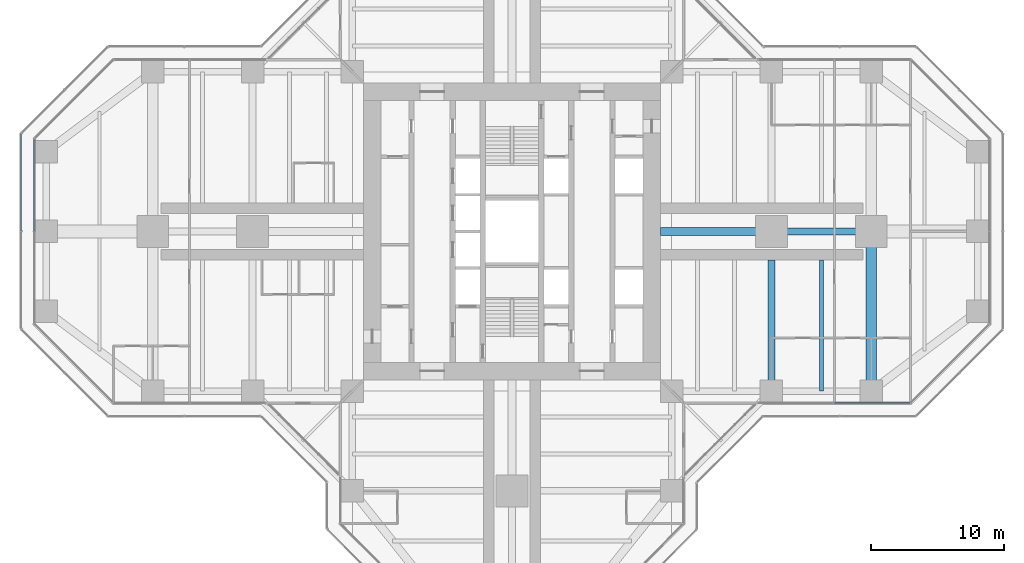
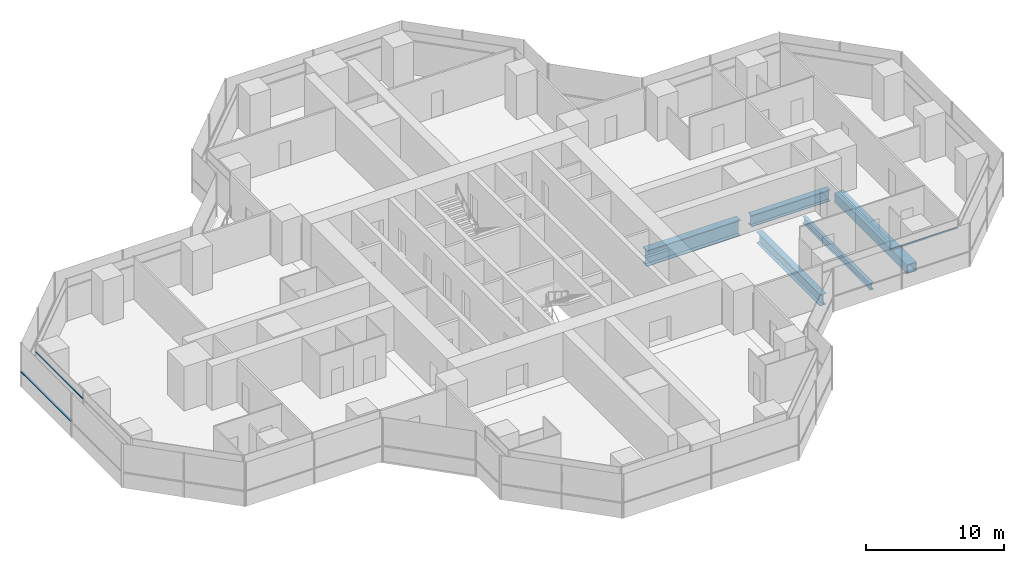
# One storey, part 6 of 20: 5 beams, 3 members, 3 elements without a shape of their own.
"""IFC4 building model written with IfcOpenShell, lengths in metres."""

from ifc_helpers import new_model, si_unit, direction, frame, origin, origin_2d, place, context, subcontext, project, spatial, rectangle, hollow_rectangle, i_section, extrude, material, material_profile, profile_set, type_object, element, aggregate, save


model = new_model("IFC4")

# Units and contexts
model_context = context("Model", 3, precision=1e-05, world=origin(), true_north=direction((0.0, 1.0)))
body_context = subcontext(model_context, "Body", "Model", "MODEL_VIEW")
ifc_project = project(units=[si_unit("LENGTHUNIT", "METRE"), si_unit("AREAUNIT", "SQUARE_METRE"), si_unit("VOLUMEUNIT", "CUBIC_METRE"), si_unit("PLANEANGLEUNIT", "RADIAN"), si_unit("MASSUNIT", "GRAM", prefix="KILO")], contexts=[model_context])

# Site, building, storey
site_placement = place(None, origin())
site = spatial("IfcSite", under=ifc_project, at=site_placement, CompositionType="ELEMENT")
building_placement = place(site_placement, origin())
building = spatial("IfcBuilding", under=site, at=building_placement, Name="Mizan Broadcast Tower", CompositionType="ELEMENT")
storey_placement = place(building_placement, frame((0.0, 0.0, 143.699951171875)))
storey = spatial("IfcBuildingStorey", under=building, at=storey_placement, Name="L32", CompositionType="ELEMENT", Elevation=143.699951171875)

# Beams
ifc_material_1 = material(Name="Steel S460", Category="steel")
ifc_material_profile_1 = material_profile(ifc_material_1, hollow_rectangle(XDim=0.800048828125, YDim=0.800048828125, WallThickness=0.050048828125, at=origin_2d()), Name="BOX 800x800x50")
ifc_profile_set_1 = profile_set([ifc_material_profile_1], Name="Steel S460")
beam_type_1 = type_object("IfcBeamType", Name="GIRDER BOX 800x800x50", PredefinedType="BEAM", material=ifc_profile_set_1)
beam_1_placement = place(storey_placement, frame((27.0, -11.280029296875, -0.530029296875), z_axis=(0.0, 1.0, 0.0), x_axis=(-1.0, 0.0, 0.0)))
element("IfcBeam", 1, at=beam_1_placement, inside=storey, type_object=beam_type_1, Name="Girder BOX 800x800x50 L32 east arm", PredefinedType="BEAM", context=body_context, shape_type="SweptSolid", body=[
    extrude(hollow_rectangle(XDim=0.800048828125, YDim=0.800048828125, WallThickness=0.050048828125, at=origin_2d()), origin(), (0.0, 0.0, 1.0), 10.56005859375),
])
ifc_material_2 = material(Name="Steel S460", Category="steel")
ifc_material_profile_2 = material_profile(ifc_material_2, i_section(OverallWidth=0.5, OverallDepth=1.0, WebThickness=0.02490234375, FlangeThickness=0.050048828125, at=origin_2d()), Name="WPG 1000x500")
ifc_profile_set_2 = profile_set([ifc_material_profile_2], Name="Steel S460")
beam_type_2 = type_object("IfcBeamType", Name="GIRDER WPG 1000x500", PredefinedType="BEAM", material=ifc_profile_set_2)
beam_2_placement = place(storey_placement, frame((19.949951171875, 0.0, -0.6298828125), z_axis=(1.0, 0.0, 0.0), x_axis=(0.0, 1.0, 0.0)))
element("IfcBeam", 2, at=beam_2_placement, inside=storey, type_object=beam_type_2, Name="Girder WPG 1000x500 L32 east arm", PredefinedType="BEAM", context=body_context, shape_type="SweptSolid", body=[
    extrude(i_section(OverallWidth=0.5, OverallDepth=1.0, WebThickness=0.02490234375, FlangeThickness=0.050048828125, at=origin_2d()), origin(), (0.0, 0.0, 1.0), 6.60009765625),
])
beam_3_placement = place(storey_placement, frame((19.5, -11.408935546875, -0.6298828125), z_axis=(0.0, 1.0, 0.0), x_axis=(-1.0, 0.0, 0.0)))
element("IfcBeam", 3, at=beam_3_placement, inside=storey, type_object=beam_type_2, Name="Girder WPG 1000x500 L32 east arm", PredefinedType="BEAM", context=body_context, shape_type="SweptSolid", body=[
    extrude(i_section(OverallWidth=0.5, OverallDepth=1.0, WebThickness=0.02490234375, FlangeThickness=0.050048828125, at=origin_2d()), origin(), (0.0, 0.0, 1.0), 9.259033203125),
])
ifc_material_3 = material(Name="Steel S460", Category="steel")
ifc_material_profile_3 = material_profile(ifc_material_3, i_section(OverallWidth=0.60009765625, OverallDepth=1.39990234375, WebThickness=0.02490234375, FlangeThickness=0.06005859375, at=origin_2d()), Name="WPG 1400x600")
ifc_profile_set_3 = profile_set([ifc_material_profile_3], Name="Steel S460")
beam_type_3 = type_object("IfcBeamType", Name="GIRDER WPG 1400x600", PredefinedType="BEAM", material=ifc_profile_set_3)
beam_4_placement = place(storey_placement, frame((11.14990234375, 0.0, -0.829833984375), z_axis=(1.0, 0.0, 0.0), x_axis=(0.0, 1.0, 0.0)))
element("IfcBeam", 4, at=beam_4_placement, inside=storey, type_object=beam_type_3, Name="Girder WPG 1400x600 L32 east arm", PredefinedType="BEAM", context=body_context, shape_type="SweptSolid", body=[
    extrude(i_section(OverallWidth=0.60009765625, OverallDepth=1.39990234375, WebThickness=0.02490234375, FlangeThickness=0.06005859375, at=origin_2d()), origin(), (0.0, 0.0, 1.0), 7.84912109375),
])

# Curtain wall, member
ifc_material_4 = material(Name="Aluminium framed glazing", Category="aluminium")
curtain_wall_type_1 = type_object("IfcCurtainWallType", Name="INNER SKIN MID ZONE", PredefinedType="USERDEFINED", material=ifc_material_4)
curtain_wall_1_placement = place(storey_placement, origin())
curtain_wall_1 = element("IfcCurtainWall", 5, at=curtain_wall_1_placement, inside=storey, type_object=curtain_wall_type_1, Name="Inner skin mid zone L32 E side", ObjectType="INNER SKIN MID ZONE", PredefinedType="USERDEFINED")
ifc_material_5 = material(Name="Aluminium, pale anodised", Category="aluminium")
ifc_material_profile_4 = material_profile(ifc_material_5, rectangle(XDim=0.1201171875, YDim=0.06005859375, at=origin_2d()), Name="TRANSOM 120x60")
ifc_profile_set_4 = profile_set([ifc_material_profile_4], Name="Aluminium, pale anodised")
member_type_1 = type_object("IfcMemberType", Name="INNER SKIN TRANSOM 60x120", PredefinedType="USERDEFINED", material=ifc_profile_set_4)
member_1_placement = place(storey_placement, frame((24.25927734375, -12.89990234375, 3.030029296875), z_axis=(1.0, 0.0, 0.0), x_axis=(0.0, 1.0, 0.0)))
member_1 = element("IfcMember", 6, at=member_1_placement, type_object=member_type_1, Name="Inner skin mid zone L32 E side transom 2.1", ObjectType="TRANSOM", PredefinedType="USERDEFINED", context=body_context, shape_type="SweptSolid", body=[
    extrude(rectangle(XDim=0.1201171875, YDim=0.06005859375, at=origin_2d()), origin(), (0.0, 0.0, 1.0), 5.639404296875),
])
aggregate(curtain_wall_1, [member_1])

curtain_wall_2_placement = place(storey_placement, origin())
curtain_wall_2 = element("IfcCurtainWall", 7, at=curtain_wall_2_placement, inside=storey, type_object=curtain_wall_type_1, Name="Inner skin mid zone L32 W end", ObjectType="INNER SKIN MID ZONE", PredefinedType="USERDEFINED")
member_2_placement = place(storey_placement, frame((-35.89990234375, 6.898681640625, 3.030029296875), z_axis=(0.0, -1.0, 0.0), x_axis=(1.0, 0.0, 0.0)))
member_2 = element("IfcMember", 8, at=member_2_placement, type_object=member_type_1, Name="Inner skin mid zone L32 W end transom 1.1", ObjectType="TRANSOM", PredefinedType="USERDEFINED", context=body_context, shape_type="SweptSolid", body=[
    extrude(rectangle(XDim=0.1201171875, YDim=0.06005859375, at=origin_2d()), origin(), (0.0, 0.0, 1.0), 6.86865234375),
])
aggregate(curtain_wall_2, [member_2])

ifc_material_6 = material(Name="Aluminium framed glazing", Category="aluminium")
curtain_wall_type_2 = type_object("IfcCurtainWallType", Name="OUTER SKIN", PredefinedType="USERDEFINED", material=ifc_material_6)
curtain_wall_3_placement = place(storey_placement, origin())
curtain_wall_3 = element("IfcCurtainWall", 9, at=curtain_wall_3_placement, inside=storey, type_object=curtain_wall_type_2, Name="Outer skin L32 W end", ObjectType="OUTER SKIN", PredefinedType="USERDEFINED")
ifc_material_7 = material(Name="Aluminium, pale anodised", Category="aluminium")
ifc_material_profile_5 = material_profile(ifc_material_7, rectangle(XDim=0.159912109375, YDim=0.06005859375, at=origin_2d()), Name="TRANSOM 160x60")
ifc_profile_set_5 = profile_set([ifc_material_profile_5], Name="Aluminium, pale anodised")
member_type_2 = type_object("IfcMemberType", Name="OUTER SKIN TRANSOM 60x160", PredefinedType="USERDEFINED", material=ifc_profile_set_5)
member_3_placement = place(storey_placement, frame((-36.89990234375, 7.292724609375, 1.400146484375), z_axis=(0.0, -1.0, 0.0), x_axis=(1.0, 0.0, 0.0)))
member_3 = element("IfcMember", 10, at=member_3_placement, type_object=member_type_2, Name="Outer skin L32 W end transom 1.1", ObjectType="TRANSOM", PredefinedType="USERDEFINED", context=body_context, shape_type="SweptSolid", body=[
    extrude(rectangle(XDim=0.159912109375, YDim=0.06005859375, at=origin_2d()), origin(), (0.0, 0.0, 1.0), 7.252685546875),
])
aggregate(curtain_wall_3, [member_3])

# Beam
ifc_material_8 = material(Name="Steel S355", Category="steel")
ifc_material_profile_6 = material_profile(ifc_material_8, i_section(OverallWidth=0.300048828125, OverallDepth=0.590087890625, WebThickness=0.012939453125, FlangeThickness=0.02490234375, FilletRadius=0.027099609375, at=origin_2d()), Name="HEA 600")
ifc_profile_set_6 = profile_set([ifc_material_profile_6], Name="Steel S355")
beam_type_4 = type_object("IfcBeamType", Name="SECONDARY BEAM HEA 600", PredefinedType="JOIST", material=ifc_profile_set_6)
beam_5_placement = place(storey_placement, frame((23.25, -12.0, -0.425048828125), z_axis=(0.0, 1.0, 0.0), x_axis=(-1.0, 0.0, 0.0)))
element("IfcBeam", 11, at=beam_5_placement, inside=storey, type_object=beam_type_4, Name="Secondary beam HEA 600 L32 east arm", PredefinedType="JOIST", context=body_context, shape_type="SweptSolid", body=[
    extrude(i_section(OverallWidth=0.300048828125, OverallDepth=0.590087890625, WebThickness=0.012939453125, FlangeThickness=0.02490234375, FilletRadius=0.027099609375, at=origin_2d()), origin(), (0.0, 0.0, 1.0), 9.85009765625),
])

save(model, "model.ifc")
